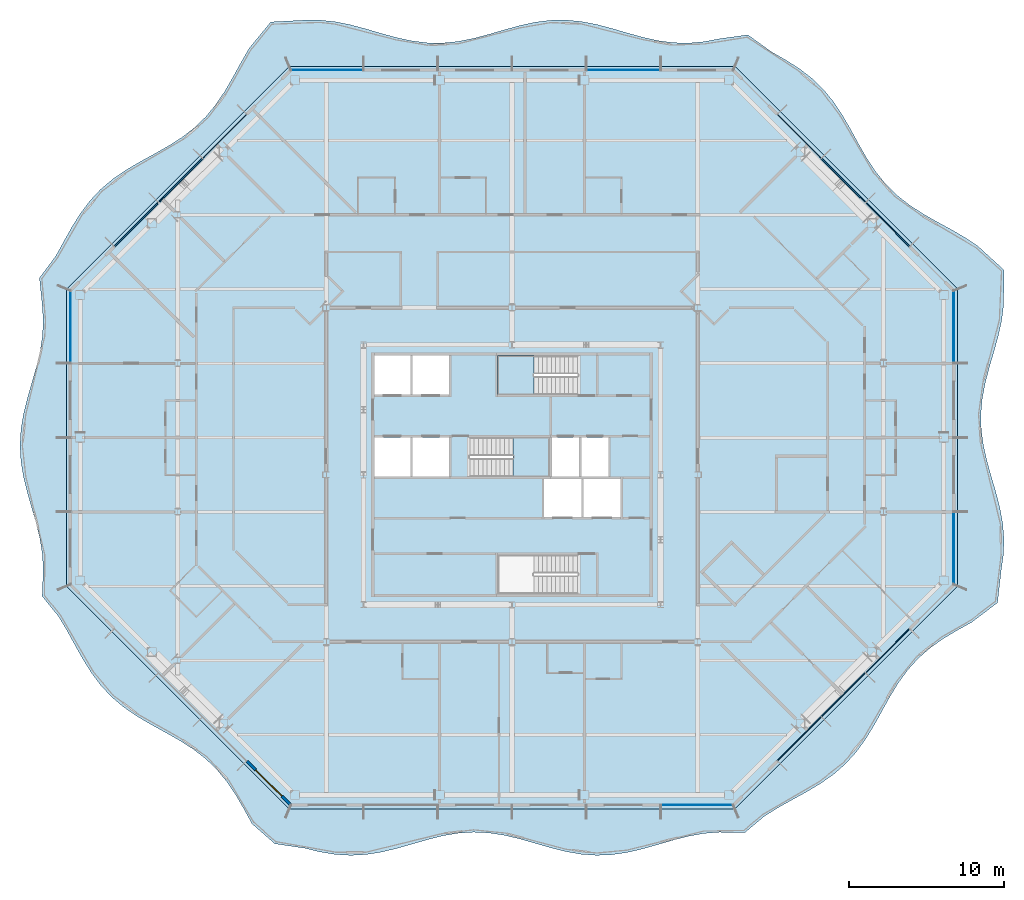
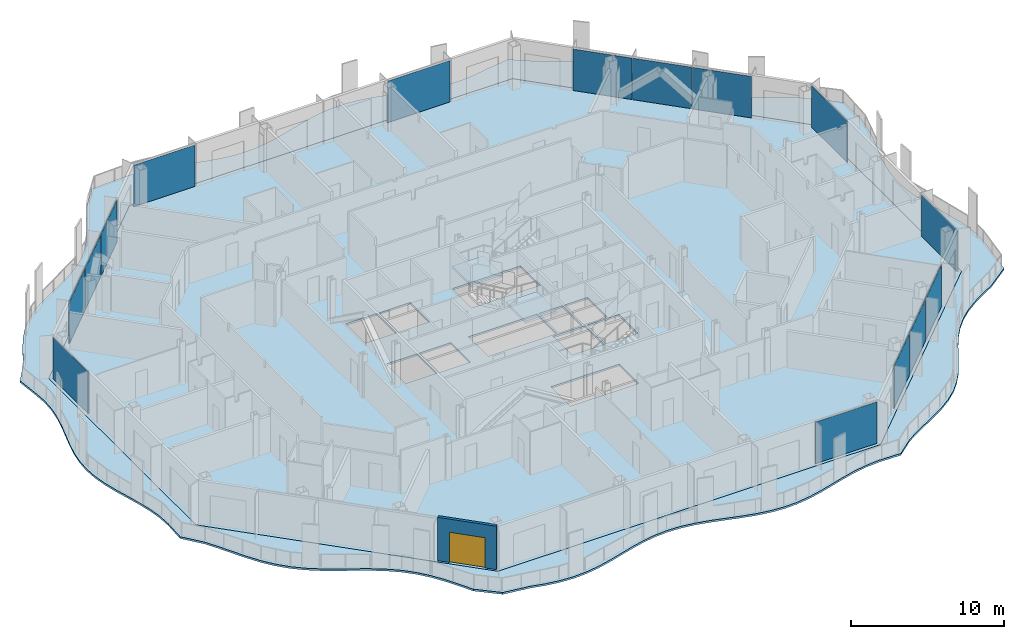
# One storey, part 6 of 21: 15 plates, 4 slabs, 1 door, 1 wall, 1 opening, 9 elements without a shape of their own.
"""IFC4 building model written with IfcOpenShell, lengths in metres."""

from ifc_helpers import new_model, si_unit, direction, frame, frame_2d, origin, origin_2d, place, context, subcontext, project, spatial, polyline, rectangle, outline, extrude, material, layer, layer_set, type_object, element, fill, aggregate, save


model = new_model("IFC4")

# Units and contexts
model_context = context("Model", 3, precision=1e-05, world=origin(), true_north=direction((0.0, 1.0)))
body_context = subcontext(model_context, "Body", "Model", "MODEL_VIEW")
ifc_project = project(units=[si_unit("LENGTHUNIT", "METRE"), si_unit("AREAUNIT", "SQUARE_METRE"), si_unit("VOLUMEUNIT", "CUBIC_METRE"), si_unit("PLANEANGLEUNIT", "RADIAN"), si_unit("MASSUNIT", "GRAM", prefix="KILO")], contexts=[model_context])

# Site, building, storey
site_placement = place(None, origin())
site = spatial("IfcSite", under=ifc_project, at=site_placement, CompositionType="ELEMENT")
building_placement = place(site_placement, origin())
building = spatial("IfcBuilding", under=site, at=building_placement, Name="Cairn Pilgrim Tower", CompositionType="ELEMENT")
storey_placement = place(building_placement, frame((0.0, 0.0, 161.39990234375)))
storey = spatial("IfcBuildingStorey", under=building, at=storey_placement, Name="L40", CompositionType="ELEMENT", Elevation=161.39990234375)

# Slabs
ifc_material_1 = material(Name="Concrete C35/45", Category="concrete")
ifc_layer_1 = layer(ifc_material_1, 0.14990234375)
ifc_layer_set_1 = layer_set([ifc_layer_1], Name="BALCONY SLAB 150 CONCRETE C35/45")
slab_type_1 = type_object("IfcSlabType", Name="BALCONY SLAB 150 CONCRETE C35/45", PredefinedType="FLOOR", material=ifc_layer_set_1)
slab_1_placement = place(storey_placement, frame((0.0, 0.0, -0.14990234375)))
element("IfcSlab", 1, at=slab_1_placement, inside=storey, type_object=slab_type_1, Name="Balcony slab BS-1", PredefinedType="FLOOR", context=body_context, shape_type="SweptSolid", body=[
    extrude(outline(polyline([(-9.602294921875, -20.162353515625), (-8.132080078125, -21.449951171875), (-6.206787109375, -21.735107421875), (-5.2138671875, -21.9775390625), (-4.220703125, -22.140625), (-3.2275390625, -22.199951171875), (-2.234375, -22.146728515625), (-1.241455078125, -21.98876953125), (-0.248291015625, -21.75), (0.744873046875, -21.46630859375), (1.738037109375, -21.179931640625), (2.73095703125, -20.934326171875), (3.72412109375, -20.765869140625), (4.71728515625, -20.700439453125), (5.71044921875, -20.747314453125), (6.703369140625, -20.89990234375), (7.696533203125, -21.135009765625), (8.689697265625, -21.41748046875), (9.682861328125, -21.704833984375), (10.67578125, -21.953857421875), (11.6689453125, -22.127197265625), (12.662109375, -22.198974609375), (13.6552734375, -22.158203125), (14.648193359375, -22.010986328125), (15.641357421875, -21.779541015625), (16.634521484375, -21.498779296875), (17.627685546875, -21.21044921875), (18.62060546875, -20.958251953125), (19.61376953125, -20.780029296875), (20.60693359375, -20.7021484375), (22.236572265625, -20.73681640625), (23.51025390625, -19.670166015625), (24.39697265625, -19.116943359375), (25.32080078125, -18.600830078125), (26.249267578125, -18.08935546875), (27.149658203125, -17.549560546875), (27.993408203125, -16.953369140625), (28.760986328125, -16.281005859375), (29.445068359375, -15.525146484375), (30.05126953125, -14.691162109375), (30.597412109375, -13.79736328125), (31.11083984375, -12.870849609375), (31.62451171875, -11.9443359375), (32.170654296875, -11.050537109375), (32.77685546875, -10.216796875), (33.4609375, -9.4609375), (34.228759765625, -8.78857421875), (35.072509765625, -8.192626953125), (35.972900390625, -7.653076171875), (36.9013671875, -7.141357421875), (38.581298828125, -5.869140625), (38.8154296875, -3.78955078125), (38.9619140625, -2.779052734375), (38.997802734375, -1.768310546875), (38.917236328125, -0.7578125), (38.733154296875, 0.252685546875), (38.473876953125, 1.26318359375), (38.179931640625, 2.273681640625), (37.896728515625, 3.2841796875), (37.66845703125, 4.294677734375), (37.530517578125, 5.30517578125), (37.504638671875, 6.315673828125), (37.59423828125, 7.326416015625), (37.7861328125, 8.3369140625), (38.0498046875, 9.347412109375), (38.3447265625, 10.35791015625), (38.625, 11.368408203125), (38.846923828125, 12.37890625), (38.97607421875, 13.389404296875), (38.992431640625, 15.639404296875), (37.324951171875, 17.1650390625), (36.46240234375, 17.742431640625), (35.55078125, 18.270751953125), (34.620361328125, 18.7802734375), (33.7041015625, 19.303955078125), (32.8330078125, 19.873046875), (32.03125, 20.51123046875), (31.311279296875, 21.231201171875), (30.67333984375, 22.033447265625), (30.1044921875, 22.904541015625), (29.580810546875, 23.82080078125), (29.071533203125, 24.75146484375), (28.54296875, 25.6630859375), (27.96533203125, 26.525390625), (27.31591796875, 27.31591796875), (26.583740234375, 28.023681640625), (25.770751953125, 28.650634765625), (24.891357421875, 29.21142578125), (23.970947265625, 29.73095703125), (22.4443359375, 30.838134765625), (20.60693359375, 30.58056640625), (19.61376953125, 30.393310546875), (18.62060546875, 30.304931640625), (17.627685546875, 30.328369140625), (16.634521484375, 30.4599609375), (15.641357421875, 30.680419921875), (14.648193359375, 30.956298828125), (13.6552734375, 31.246337890625), (12.662109375, 31.5068359375), (11.6689453125, 31.698486328125), (10.67578125, 31.79296875), (9.682861328125, 31.77587890625), (8.689697265625, 31.64990234375), (7.696533203125, 31.43359375), (6.703369140625, 31.15966796875), (5.71044921875, 30.869384765625), (4.71728515625, 30.606201171875), (3.72412109375, 30.40966796875), (2.73095703125, 30.309326171875), (1.738037109375, 30.320068359375), (0.744873046875, 30.440673828125), (-0.248291015625, 30.652587890625), (-1.241455078125, 30.924072265625), (-2.234375, 31.214599609375), (-3.2275390625, 31.48046875), (-4.220703125, 31.681640625), (-5.2138671875, 31.787841796875), (-6.206787109375, 31.783447265625), (-8.38818359375, 31.668701171875), (-9.79736328125, 29.957275390625), (-10.321044921875, 29.041015625), (-10.830322265625, 28.1103515625), (-11.35888671875, 27.198974609375), (-11.9365234375, 26.336669921875), (-12.5859375, 25.5458984375), (-13.318115234375, 24.838134765625), (-14.13134765625, 24.21142578125), (-15.0107421875, 23.650634765625), (-15.93115234375, 23.131103515625), (-16.86083984375, 22.620849609375), (-17.76708984375, 22.087158203125), (-18.620361328125, 21.500244140625), (-19.3994140625, 20.83935546875), (-20.09521484375, 20.09521484375), (-20.71142578125, 19.271484375), (-21.264404296875, 18.384521484375), (-21.78076171875, 17.460693359375), (-22.292236328125, 16.5322265625), (-23.34228515625, 15.12158203125), (-23.168212890625, 13.389404296875), (-23.100341796875, 12.37890625), (-23.14892578125, 11.368408203125), (-23.306640625, 10.35791015625), (-23.548583984375, 9.347412109375), (-23.83740234375, 8.3369140625), (-24.128173828125, 7.326416015625), (-24.375732421875, 6.315673828125), (-24.541748046875, 5.30517578125), (-24.60009765625, 4.294677734375), (-24.541748046875, 3.2841796875), (-24.3759765625, 2.273681640625), (-24.128662109375, 1.26318359375), (-23.837890625, 0.252685546875), (-23.548828125, -0.7578125), (-23.306884765625, -1.768310546875), (-23.149169921875, -2.779052734375), (-23.100341796875, -3.78955078125), (-23.168212890625, -5.449462890625), (-22.11279296875, -6.7529296875), (-21.573486328125, -7.6533203125), (-21.06201171875, -8.58203125), (-20.545654296875, -9.505615234375), (-19.9921875, -10.392333984375), (-19.37548828125, -11.215576171875), (-18.67919921875, -11.959228515625), (-17.899658203125, -12.61962890625), (-17.046142578125, -13.2060546875), (-16.1396484375, -13.73974609375), (-15.209716796875, -14.249755859375), (-14.28955078125, -14.76953125), (-13.41064453125, -15.33056640625), (-12.597900390625, -15.957763671875), (-11.8662109375, -16.666259765625), (-11.21728515625, -17.457275390625), (-10.639892578125, -18.31982421875), (-10.111572265625, -19.231689453125), (-9.602294921875, -20.162353515625)]), holes=[polyline([(21.60009765625, -19.199951171875), (-7.199951171875, -19.199951171875), (-21.60009765625, -4.800048828125), (-21.60009765625, 14.39990234375), (-7.199951171875, 28.800048828125), (21.60009765625, 28.800048828125), (36.0, 14.39990234375), (36.0, -4.800048828125), (21.60009765625, -19.199951171875)])]), origin(), (0.0, 0.0, 1.0), 0.14990234375),
])
ifc_layer_2 = layer(ifc_material_1, 0.14990234375)
ifc_layer_set_2 = layer_set([ifc_layer_2], Name="COMPOSITE FLOOR SLAB 150")
slab_type_2 = type_object("IfcSlabType", Name="COMPOSITE FLOOR SLAB 150", PredefinedType="FLOOR", material=ifc_layer_set_2)
slab_2_placement = place(storey_placement, frame((0.0, 0.0, -0.14990234375)))
element("IfcSlab", 2, at=slab_2_placement, inside=storey, type_object=slab_type_2, Name="FLOOR SLAB L40", PredefinedType="FLOOR", context=body_context, shape_type="SweptSolid", body=[
    extrude(outline(polyline([(-7.199951171875, -19.199951171875), (21.60009765625, -19.199951171875), (36.0, -4.800048828125), (36.0, 14.39990234375), (21.60009765625, 28.800048828125), (-7.199951171875, 28.800048828125), (-21.60009765625, 14.39990234375), (-21.60009765625, -4.800048828125), (-7.199951171875, -19.199951171875)]), holes=[polyline([(9.27490234375, -0.324951171875), (11.675048828125, -0.324951171875), (11.675048828125, 2.125), (9.27490234375, 2.125), (9.27490234375, -0.324951171875)]), polyline([(11.824951171875, -0.324951171875), (14.22509765625, -0.324951171875), (14.22509765625, 2.125), (11.824951171875, 2.125), (11.824951171875, -0.324951171875)]), polyline([(-1.72509765625, 2.27490234375), (0.625, 2.27490234375), (0.625, 4.824951171875), (-1.72509765625, 4.824951171875), (-1.72509765625, 2.27490234375)]), polyline([(0.77490234375, 2.27490234375), (3.125, 2.27490234375), (3.125, 4.824951171875), (0.77490234375, 4.824951171875), (0.77490234375, 2.27490234375)]), polyline([(-1.72509765625, 7.574951171875), (0.625, 7.574951171875), (0.625, 10.10009765625), (-1.72509765625, 10.10009765625), (-1.72509765625, 7.574951171875)]), polyline([(0.77490234375, 7.574951171875), (3.125, 7.574951171875), (3.125, 10.10009765625), (0.77490234375, 10.10009765625), (0.77490234375, 7.574951171875)]), polyline([(9.77490234375, 2.27490234375), (11.52490234375, 2.27490234375), (11.52490234375, 4.824951171875), (9.77490234375, 4.824951171875), (9.77490234375, 2.27490234375)]), polyline([(11.675048828125, 2.27490234375), (13.425048828125, 2.27490234375), (13.425048828125, 4.824951171875), (11.675048828125, 4.824951171875), (11.675048828125, 2.27490234375)]), polyline([(11.424560546875, -2.77490234375), (6.27490234375, -2.77490234375), (6.27490234375, -5.300048828125), (11.424560546875, -5.300048828125), (11.424560546875, -2.77490234375)]), polyline([(4.4755859375, 2.27490234375), (9.625, 2.27490234375), (9.625, 4.824951171875), (4.4755859375, 4.824951171875), (4.4755859375, 2.27490234375)]), polyline([(11.424560546875, 10.10009765625), (6.27490234375, 10.10009765625), (6.27490234375, 7.574951171875), (11.424560546875, 7.574951171875), (11.424560546875, 10.10009765625)])]), origin(), (0.0, 0.0, 1.0), 0.14990234375),
])

# Curtain wall, plates
ifc_material_2 = material(Name="Aluminium alloy 6063-T6 bronze anodised with Bronze tinted laminated low-E glass 8+16+8.8", Category="aluminium")
curtain_wall_type_1 = type_object("IfcCurtainWallType", Name="CHAMFER CORNER CURTAIN WALL", PredefinedType="NOTDEFINED", material=ifc_material_2)
curtain_wall_1_placement = place(storey_placement, origin())
curtain_wall_1 = element("IfcCurtainWall", 3, at=curtain_wall_1_placement, inside=storey, type_object=curtain_wall_type_1, Name="Chamfer Corner Curtain Wall SE", PredefinedType="NOTDEFINED")
ifc_material_3 = material(Name="Bronze anodised aluminium spandrel panel with mineral wool insulation", Category="aluminium")
ifc_layer_3 = layer(ifc_material_3, 0.06005859375)
ifc_layer_set_3 = layer_set([ifc_layer_3], Name="SPANDREL PANEL 3972x3300")
plate_type_1 = type_object("IfcPlateType", Name="SPANDREL PANEL 3972x3300", PredefinedType="CURTAIN_PANEL", material=ifc_layer_set_3)
plate_1_placement = place(storey_placement, frame((25.7724609375, -14.673828125, 0.0), z_axis=(0.0, 0.0, 1.0), x_axis=(0.707106781187, 0.707106781187, 0.0)))
plate_1 = element("IfcPlate", 4, at=plate_1_placement, type_object=plate_type_1, Name="Spandrel Panel SE2-1", PredefinedType="CURTAIN_PANEL", context=body_context, shape_type="SweptSolid", body=[
    extrude(rectangle(XDim=3.971435546875, YDim=0.06005859375, at=origin_2d()), origin(), (0.0, 0.0, 1.0), 3.300048828125),
])
plate_2_placement = place(storey_placement, frame((28.623291015625, -11.8232421875, 0.0), z_axis=(0.0, 0.0, 1.0), x_axis=(0.707106781187, 0.707106781187, 0.0)))
plate_2 = element("IfcPlate", 5, at=plate_2_placement, type_object=plate_type_1, Name="Spandrel Panel SE3-1", PredefinedType="CURTAIN_PANEL", context=body_context, shape_type="SweptSolid", body=[
    extrude(rectangle(XDim=3.971435546875, YDim=0.06005859375, at=origin_2d()), origin(), (0.0, 0.0, 1.0), 3.300048828125),
])
plate_3_placement = place(storey_placement, frame((31.473876953125, -8.972412109375, 0.0), z_axis=(0.0, 0.0, 1.0), x_axis=(0.707106781187, 0.707106781187, 0.0)))
plate_3 = element("IfcPlate", 6, at=plate_3_placement, type_object=plate_type_1, Name="Spandrel Panel SE4-1", PredefinedType="CURTAIN_PANEL", context=body_context, shape_type="SweptSolid", body=[
    extrude(rectangle(XDim=3.971435546875, YDim=0.06005859375, at=origin_2d()), origin(), (0.0, 0.0, 1.0), 3.300048828125),
])
aggregate(curtain_wall_1, [plate_1, plate_2, plate_3])

curtain_wall_2_placement = place(storey_placement, origin())
curtain_wall_2 = element("IfcCurtainWall", 7, at=curtain_wall_2_placement, inside=storey, type_object=curtain_wall_type_1, Name="Chamfer Corner Curtain Wall NE", PredefinedType="NOTDEFINED")
plate_4_placement = place(storey_placement, frame((31.473876953125, 18.572509765625, 0.0), z_axis=(0.0, 0.0, 1.0), x_axis=(-0.707106781187, 0.707106781187, 0.0)))
plate_4 = element("IfcPlate", 8, at=plate_4_placement, type_object=plate_type_1, Name="Spandrel Panel NE2-1", PredefinedType="CURTAIN_PANEL", context=body_context, shape_type="SweptSolid", body=[
    extrude(rectangle(XDim=3.971435546875, YDim=0.06005859375, at=origin_2d()), origin(), (0.0, 0.0, 1.0), 3.300048828125),
])
plate_5_placement = place(storey_placement, frame((28.623291015625, 21.42333984375, 0.0), z_axis=(0.0, 0.0, 1.0), x_axis=(-0.707106781187, 0.707106781187, 0.0)))
plate_5 = element("IfcPlate", 9, at=plate_5_placement, type_object=plate_type_1, Name="Spandrel Panel NE3-1", PredefinedType="CURTAIN_PANEL", context=body_context, shape_type="SweptSolid", body=[
    extrude(rectangle(XDim=3.971435546875, YDim=0.06005859375, at=origin_2d()), origin(), (0.0, 0.0, 1.0), 3.300048828125),
])
plate_6_placement = place(storey_placement, frame((25.7724609375, 24.27392578125, 0.0), z_axis=(0.0, 0.0, 1.0), x_axis=(-0.707106781187, 0.707106781187, 0.0)))
plate_6 = element("IfcPlate", 10, at=plate_6_placement, type_object=plate_type_1, Name="Spandrel Panel NE4-1", PredefinedType="CURTAIN_PANEL", context=body_context, shape_type="SweptSolid", body=[
    extrude(rectangle(XDim=3.971435546875, YDim=0.06005859375, at=origin_2d()), origin(), (0.0, 0.0, 1.0), 3.300048828125),
])
aggregate(curtain_wall_2, [plate_4, plate_5, plate_6])

curtain_wall_3_placement = place(storey_placement, origin())
curtain_wall_3 = element("IfcCurtainWall", 11, at=curtain_wall_3_placement, inside=storey, type_object=curtain_wall_type_1, Name="Chamfer Corner Curtain Wall NW", PredefinedType="NOTDEFINED")
plate_7_placement = place(storey_placement, frame((-11.37255859375, 24.27392578125, 0.0), z_axis=(0.0, 0.0, 1.0), x_axis=(-0.707106781187, -0.707106781187, 0.0)))
plate_7 = element("IfcPlate", 12, at=plate_7_placement, type_object=plate_type_1, Name="Spandrel Panel NW2-1", PredefinedType="CURTAIN_PANEL", context=body_context, shape_type="SweptSolid", body=[
    extrude(rectangle(XDim=3.971435546875, YDim=0.06005859375, at=origin_2d()), origin(), (0.0, 0.0, 1.0), 3.300048828125),
])
plate_8_placement = place(storey_placement, frame((-14.22314453125, 21.42333984375, 0.0), z_axis=(0.0, 0.0, 1.0), x_axis=(-0.707106781187, -0.707106781187, 0.0)))
plate_8 = element("IfcPlate", 13, at=plate_8_placement, type_object=plate_type_1, Name="Spandrel Panel NW3-1", PredefinedType="CURTAIN_PANEL", context=body_context, shape_type="SweptSolid", body=[
    extrude(rectangle(XDim=3.971435546875, YDim=0.06005859375, at=origin_2d()), origin(), (0.0, 0.0, 1.0), 3.300048828125),
])
plate_9_placement = place(storey_placement, frame((-17.073974609375, 18.572509765625, 0.0), z_axis=(0.0, 0.0, 1.0), x_axis=(-0.707106781187, -0.707106781187, 0.0)))
plate_9 = element("IfcPlate", 14, at=plate_9_placement, type_object=plate_type_1, Name="Spandrel Panel NW4-1", PredefinedType="CURTAIN_PANEL", context=body_context, shape_type="SweptSolid", body=[
    extrude(rectangle(XDim=3.971435546875, YDim=0.06005859375, at=origin_2d()), origin(), (0.0, 0.0, 1.0), 3.300048828125),
])
aggregate(curtain_wall_3, [plate_7, plate_8, plate_9])

# Stair, slab
ifc_material_4 = material(Name="Concrete C32/40", Category="concrete")
stair_type = type_object("IfcStairType", Name="EXIT STAIR 1200", PredefinedType="HALF_TURN_STAIR", material=ifc_material_4)
stair_1_placement = place(storey_placement, origin())
stair_1 = element("IfcStair", 15, at=stair_1_placement, inside=storey, type_object=stair_type, Name="L40 Exit Stair B", PredefinedType="HALF_TURN_STAIR")
ifc_layer_4 = layer(ifc_material_4, 0.199951171875)
ifc_layer_set_4 = layer_set([ifc_layer_4], Name="STAIR LANDING 200")
slab_type_3 = type_object("IfcSlabType", Name="STAIR LANDING 200", PredefinedType="LANDING", material=ifc_layer_set_4)
slab_3_placement = place(storey_placement, frame((0.0, 0.0, 1.60009765625)))
slab_3 = element("IfcSlab", 16, at=slab_3_placement, type_object=slab_type_3, Name="ST-B landing 1", PredefinedType="LANDING", context=body_context, shape_type="SweptSolid", body=[
    extrude(outline(polyline([(7.27490234375, 2.27490234375), (9.625, 2.27490234375), (9.625, 4.824951171875), (7.27490234375, 4.824951171875), (7.27490234375, 2.27490234375)])), origin(), (0.0, 0.0, 1.0), 0.199951171875),
])
aggregate(stair_1, [slab_3])

stair_2_placement = place(storey_placement, origin())
stair_2 = element("IfcStair", 17, at=stair_2_placement, inside=storey, type_object=stair_type, Name="L40 Exit Stair C", PredefinedType="HALF_TURN_STAIR")
slab_4_placement = place(storey_placement, frame((0.0, 0.0, 1.60009765625)))
slab_4 = element("IfcSlab", 18, at=slab_4_placement, type_object=slab_type_3, Name="ST-C landing 1", PredefinedType="LANDING", context=body_context, shape_type="SweptSolid", body=[
    extrude(outline(polyline([(8.625, 10.10009765625), (6.27490234375, 10.10009765625), (6.27490234375, 7.574951171875), (8.625, 7.574951171875), (8.625, 10.10009765625)])), origin(), (0.0, 0.0, 1.0), 0.199951171875),
])
aggregate(stair_2, [slab_4])

# Curtain wall, plate
curtain_wall_type_2 = type_object("IfcCurtainWallType", Name="TOWER STICK CURTAIN WALL NS", PredefinedType="NOTDEFINED", material=ifc_material_2)
curtain_wall_4_placement = place(storey_placement, origin())
curtain_wall_4 = element("IfcCurtainWall", 19, at=curtain_wall_4_placement, inside=storey, type_object=curtain_wall_type_2, Name="Tower Stick Curtain Wall Ns S", PredefinedType="NOTDEFINED")
ifc_material_5 = material(Name="Bronze tinted laminated low-E glass 8+16+8.8", Category="glass")
ifc_layer_5 = layer(ifc_material_5, 0.033935546875)
ifc_layer_set_5 = layer_set([ifc_layer_5], Name="VISION GLAZING 4626x3300")
plate_type_2 = type_object("IfcPlateType", Name="VISION GLAZING 4626x3300", PredefinedType="CURTAIN_PANEL", material=ifc_layer_set_5)
plate_10_placement = place(storey_placement, frame((19.143310546875, -18.949951171875, 0.0), z_axis=(0.0, 0.0, 1.0), x_axis=(1.0, 0.0, 0.0)))
plate_10 = element("IfcPlate", 20, at=plate_10_placement, type_object=plate_type_2, Name="Vision Glazing S6-1", PredefinedType="CURTAIN_PANEL", context=body_context, shape_type="SweptSolid", body=[
    extrude(rectangle(XDim=4.62646484375, YDim=0.033935546875, at=origin_2d()), origin(), (0.0, 0.0, 1.0), 3.300048828125),
])
aggregate(curtain_wall_4, [plate_10])

# Curtain wall, plates
curtain_wall_type_3 = type_object("IfcCurtainWallType", Name="TOWER STICK CURTAIN WALL EW", PredefinedType="NOTDEFINED", material=ifc_material_2)
curtain_wall_5_placement = place(storey_placement, origin())
curtain_wall_5 = element("IfcCurtainWall", 21, at=curtain_wall_5_placement, inside=storey, type_object=curtain_wall_type_3, Name="Tower Stick Curtain Wall Ew E", PredefinedType="NOTDEFINED")
plate_11_placement = place(storey_placement, frame((35.75, -2.34326171875, 0.0), z_axis=(0.0, 0.0, 1.0), x_axis=(0.0, 1.0, 0.0)))
plate_11 = element("IfcPlate", 22, at=plate_11_placement, type_object=plate_type_2, Name="Vision Glazing E1-1", PredefinedType="CURTAIN_PANEL", context=body_context, shape_type="SweptSolid", body=[
    extrude(rectangle(XDim=4.62646484375, YDim=0.033935546875, at=origin_2d()), origin(), (0.0, 0.0, 1.0), 3.300048828125),
])
plate_12_placement = place(storey_placement, frame((35.75, 11.943115234375, 0.0), z_axis=(0.0, 0.0, 1.0), x_axis=(0.0, 1.0, 0.0)))
plate_12 = element("IfcPlate", 23, at=plate_12_placement, type_object=plate_type_2, Name="Vision Glazing E4-1", PredefinedType="CURTAIN_PANEL", context=body_context, shape_type="SweptSolid", body=[
    extrude(rectangle(XDim=4.62646484375, YDim=0.033935546875, at=origin_2d()), origin(), (0.0, 0.0, 1.0), 3.300048828125),
])
aggregate(curtain_wall_5, [plate_11, plate_12])

# Curtain wall, plate
curtain_wall_6_placement = place(storey_placement, origin())
curtain_wall_6 = element("IfcCurtainWall", 24, at=curtain_wall_6_placement, inside=storey, type_object=curtain_wall_type_2, Name="Tower Stick Curtain Wall Ns N", PredefinedType="NOTDEFINED")
plate_13_placement = place(storey_placement, frame((-4.7431640625, 28.550048828125, 0.0), z_axis=(0.0, 0.0, 1.0), x_axis=(-1.0, 0.0, 0.0)))
plate_13 = element("IfcPlate", 25, at=plate_13_placement, type_object=plate_type_2, Name="Vision Glazing N6-1", PredefinedType="CURTAIN_PANEL", context=body_context, shape_type="SweptSolid", body=[
    extrude(rectangle(XDim=4.62646484375, YDim=0.033935546875, at=origin_2d()), origin(), (0.0, 0.0, 1.0), 3.300048828125),
])

curtain_wall_7_placement = place(storey_placement, origin())
curtain_wall_7 = element("IfcCurtainWall", 26, at=curtain_wall_7_placement, inside=storey, type_object=curtain_wall_type_3, Name="Tower Stick Curtain Wall Ew W", PredefinedType="NOTDEFINED")
plate_14_placement = place(storey_placement, frame((-21.35009765625, 11.943115234375, 0.0), z_axis=(0.0, 0.0, 1.0), x_axis=(0.0, -1.0, 0.0)))
plate_14 = element("IfcPlate", 27, at=plate_14_placement, type_object=plate_type_2, Name="Vision Glazing W1-1", PredefinedType="CURTAIN_PANEL", context=body_context, shape_type="SweptSolid", body=[
    extrude(rectangle(XDim=4.62646484375, YDim=0.033935546875, at=origin_2d()), origin(), (0.0, 0.0, 1.0), 3.300048828125),
])
aggregate(curtain_wall_7, [plate_14])

# Plate
ifc_layer_6 = layer(ifc_material_5, 0.033935546875)
ifc_layer_set_6 = layer_set([ifc_layer_6], Name="VISION GLAZING 4740x3300")
plate_type_3 = type_object("IfcPlateType", Name="VISION GLAZING 4740x3300", PredefinedType="CURTAIN_PANEL", material=ifc_layer_set_6)
plate_15_placement = place(storey_placement, frame((14.39990234375, 28.550048828125, 0.0), z_axis=(0.0, 0.0, 1.0), x_axis=(-1.0, 0.0, 0.0)))
plate_15 = element("IfcPlate", 28, at=plate_15_placement, type_object=plate_type_3, Name="Vision Glazing N2-1", PredefinedType="CURTAIN_PANEL", context=body_context, shape_type="SweptSolid", body=[
    extrude(rectangle(XDim=4.739990234375, YDim=0.033935546875, at=origin_2d()), origin(), (0.0, 0.0, 1.0), 3.300048828125),
])

aggregate(curtain_wall_6, [plate_15, plate_13])

# Wall, opening, door
ifc_material_6 = material(Name="Bronze anodised aluminium insulated sandwich panel with mineral wool fill", Category="aluminium")
ifc_layer_7 = layer(ifc_material_6, 0.199951171875)
ifc_layer_set_7 = layer_set([ifc_layer_7], Name="BRONZE INFILL FRAME WALL 200")
wall_type = type_object("IfcWallType", Name="BRONZE INFILL FRAME WALL 200", PredefinedType="NOTDEFINED", material=ifc_layer_set_7)
wall_placement = place(storey_placement, frame((-9.926025390625, -16.12060546875, 0.0), z_axis=(0.0, 0.0, 1.0), x_axis=(0.707137595296, -0.707075965734, 0.0)))
wall = element("IfcWall", 29, at=wall_placement, inside=storey, type_object=wall_type, Name="Bronze infill frame wall IW-SW5", PredefinedType="NOTDEFINED", context=body_context, shape_type="SweptSolid", body=[
    extrude(rectangle(XDim=3.96142578125, YDim=0.199951171875, at=frame_2d((1.980712890625, 0.0))), origin(), (0.0, 0.0, 1.0), 3.4501953125),
])
opening_placement = place(wall_placement, frame((0.78564453125, 0.0, 0.0)))
opening = element("IfcOpeningElement", 30, at=opening_placement, cuts=wall, Name="Opening 4021B", PredefinedType="OPENING", context=body_context, shape_type="SweptSolid", body=[
    extrude(rectangle(XDim=2.39990234375, YDim=2.39990234375, at=frame_2d((1.199951171875, 1.199951171875))), frame((0.0, 0.10986328125, 0.0), z_axis=(0.0, -1.0, 0.0), x_axis=(1.0, 0.0, 0.0)), (0.0, 0.0, 1.0), 0.219970703125),
])
ifc_material_7 = material(Name="Bronze anodised aluminium frame with tinted low-E glass", Category="aluminium")
door_type = type_object("IfcDoorType", Name="BALCONY SLIDING DOOR 2400x2400", OperationType="DOUBLE_DOOR_SLIDING", PredefinedType="DOOR", material=ifc_material_7)
door_placement = place(opening_placement, origin())
door = element("IfcDoor", 31, at=door_placement, inside=storey, type_object=door_type, Name="Balcony sliding door 4021B", OperationType="SINGLE_SWING_LEFT", OverallHeight=2.39990234375, OverallWidth=2.39990234375, PredefinedType="DOOR", context=body_context, shape_type="SweptSolid", body=[
    extrude(rectangle(XDim=2.39990234375, YDim=2.39990234375, at=frame_2d((1.199951171875, 1.199951171875))), frame((0.0, 0.02490234375, 0.0), z_axis=(0.0, -1.0, 0.0), x_axis=(1.0, 0.0, 0.0)), (0.0, 0.0, 1.0), 0.050048828125),
])
fill(opening, door)

save(model, "model.ifc")
